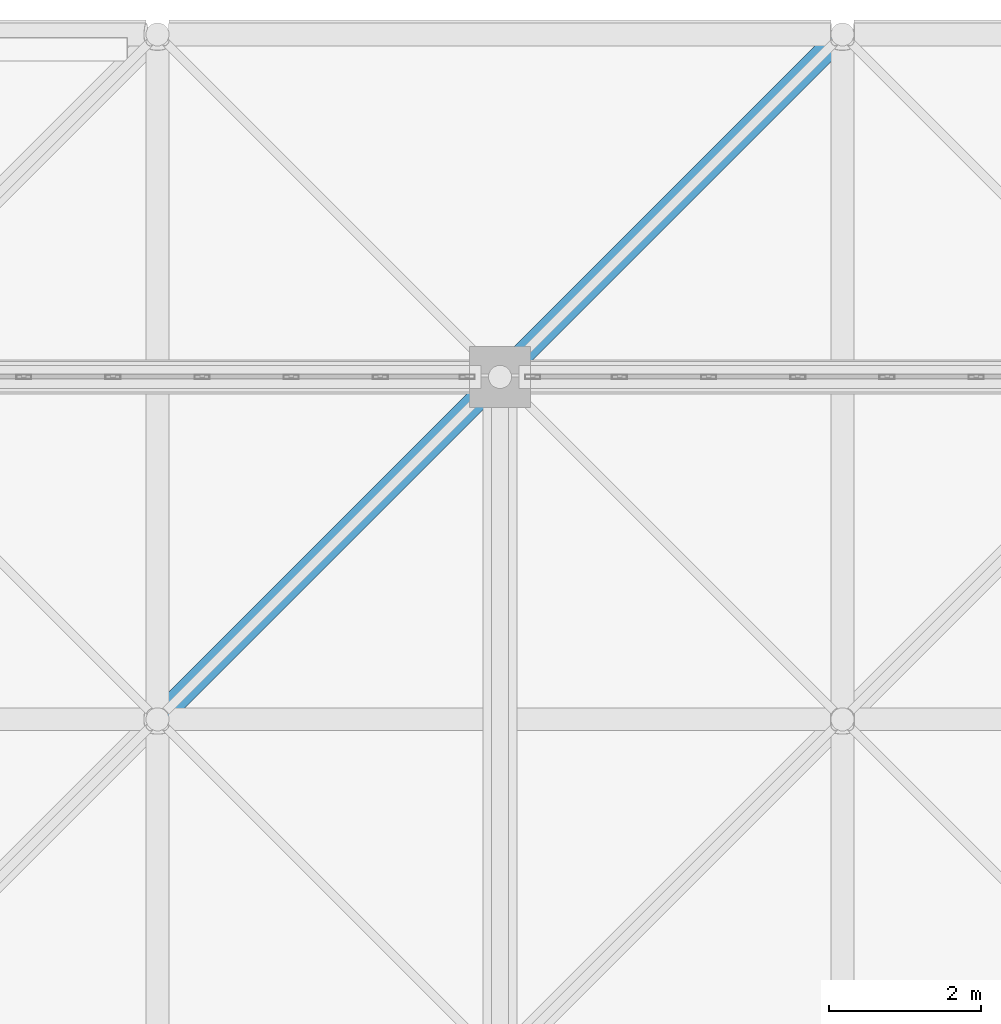
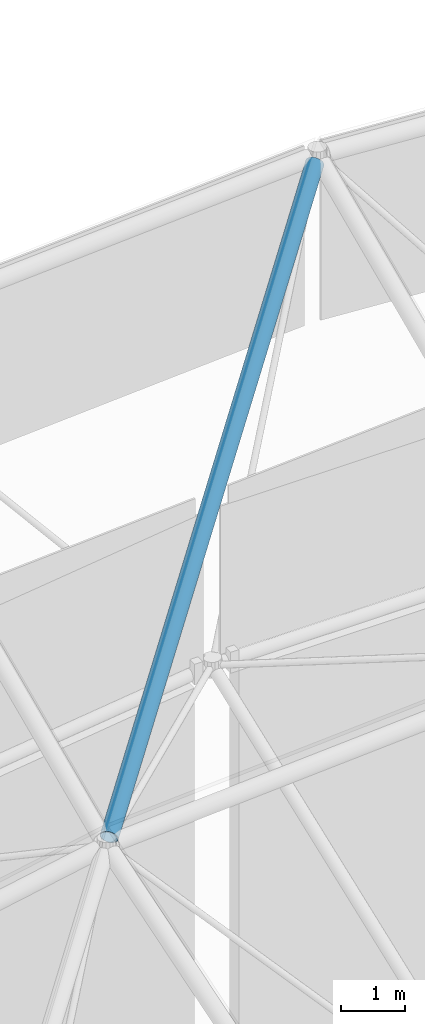
# One storey, part 118 of 437: 1 member.
"""IFC4 building model written with IfcOpenShell, lengths in metres."""

from ifc_helpers import new_model, si_unit, direction, frame, origin, origin_2d, place, context, subcontext, project, spatial, hollow_circle, extrude, material, material_profile, profile_set, type_object, element, save


model = new_model("IFC4")

# Units and contexts
model_context = context("Model", 3, precision=1e-05, world=origin(), true_north=direction((0.0, 1.0)))
body_context = subcontext(model_context, "Body", "Model", "MODEL_VIEW")
ifc_project = project(units=[si_unit("LENGTHUNIT", "METRE"), si_unit("AREAUNIT", "SQUARE_METRE"), si_unit("VOLUMEUNIT", "CUBIC_METRE"), si_unit("PLANEANGLEUNIT", "RADIAN"), si_unit("MASSUNIT", "GRAM", prefix="KILO")], contexts=[model_context])

# Site, building, storey
site_placement = place(None, origin())
site = spatial("IfcSite", under=ifc_project, at=site_placement, CompositionType="ELEMENT")
building_placement = place(site_placement, origin())
building = spatial("IfcBuilding", under=site, at=building_placement, Name="Opaline Strait Convention Centre", CompositionType="ELEMENT")
storey_placement = place(building_placement, frame((0.0, 0.0, 11.5)))
storey = spatial("IfcBuildingStorey", under=building, at=storey_placement, Name="L02", CompositionType="ELEMENT", Elevation=11.5)

# Member
ifc_material = material(Name="Steel Q355B", Category="steel")
ifc_material_profile = material_profile(ifc_material, hollow_circle(Radius=0.1494140625, WallThickness=0.010009765625, at=origin_2d()), Name="CHS 299x10")
ifc_profile_set = profile_set([ifc_material_profile], Name="Steel Q355B")
member_type = type_object("IfcMemberType", Name="Shell truss top chord CHS 299x10", PredefinedType="CHORD", material=ifc_profile_set)
member_placement = place(storey_placement, frame((31.606201171875, 175.606201171875, 18.47021484375), z_axis=(0.665479161371, 0.665479161371, 0.338045812816), x_axis=(-0.707106781187, 0.707106781187, 0.0)))
element("IfcMember", 1, at=member_placement, inside=storey, type_object=member_type, Name="PTC2 top chord D4-8", PredefinedType="CHORD", context=body_context, shape_type="SweptSolid", body=[
    extrude(hollow_circle(Radius=0.1494140625, WallThickness=0.010009765625, at=origin_2d()), origin(), (0.0, 0.0, 1.0), 13.204833984375),
])

save(model, "model.ifc")
